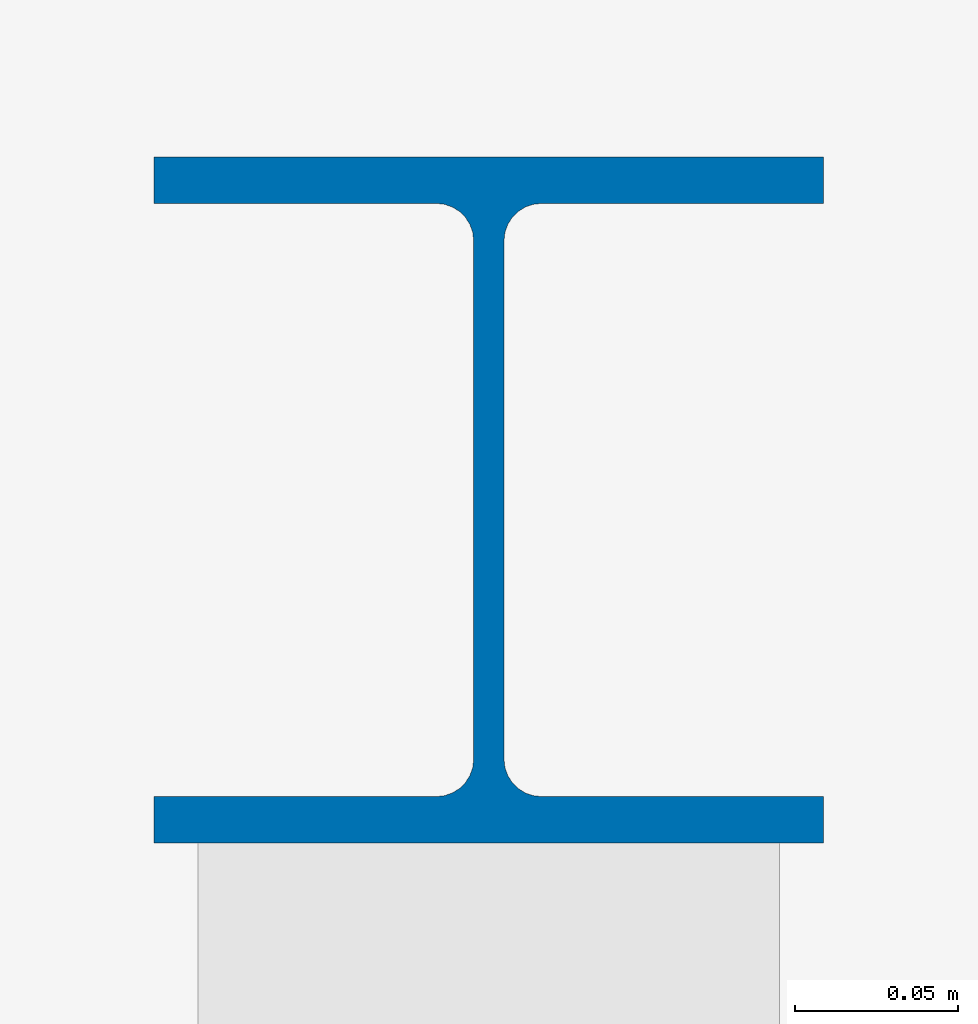
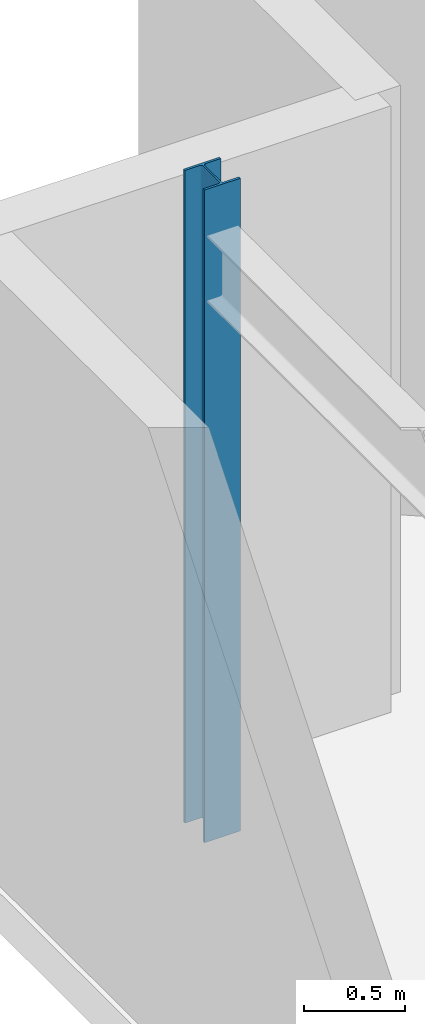
# One storey, part 4 of 15: 1 column.
"""IFC4 building model written with IfcOpenShell, lengths in metres."""

from ifc_helpers import new_model, si_unit, direction, frame, origin, origin_2d, place, context, subcontext, project, spatial, i_section, extrude, material, material_profile, profile_set, type_object, element, save


model = new_model("IFC4")

# Units and contexts
model_context = context("Model", 3, precision=1e-05, world=origin(), true_north=direction((0.0, 1.0)))
body_context = subcontext(model_context, "Body", "Model", "MODEL_VIEW")
ifc_project = project(units=[si_unit("LENGTHUNIT", "METRE"), si_unit("AREAUNIT", "SQUARE_METRE"), si_unit("VOLUMEUNIT", "CUBIC_METRE"), si_unit("PLANEANGLEUNIT", "RADIAN"), si_unit("MASSUNIT", "GRAM", prefix="KILO")], contexts=[model_context])

# Site, building, storey
site_placement = place(None, origin())
site = spatial("IfcSite", under=ifc_project, at=site_placement, CompositionType="ELEMENT")
building_placement = place(site_placement, origin())
building = spatial("IfcBuilding", under=site, at=building_placement, Name="Varnakote Quay Hospital", CompositionType="ELEMENT")
storey_placement = place(building_placement, frame((0.0, 0.0, 300.0)))
storey = spatial("IfcBuildingStorey", under=building, at=storey_placement, Name="L74", CompositionType="ELEMENT", Elevation=300.0)

# Column
ifc_material = material(Name="Structural steel AS/NZS 3679.1 Grade 350 L0 (fy 340 MPa)", Category="steel")
ifc_material_profile = material_profile(ifc_material, i_section(OverallWidth=0.205078125, OverallDepth=0.2099609375, WebThickness=0.00927734375, FlangeThickness=0.01416015625, FilletRadius=0.011474609375, at=origin_2d()), Name="200UC59.5")
ifc_profile_set = profile_set([ifc_material_profile], Name="Structural steel AS/NZS 3679.1 Grade 350 L0 (fy 340 MPa)")
column_type = type_object("IfcColumnType", Name="COL-STL-200UC59-5", PredefinedType="COLUMN", material=ifc_profile_set)
column_placement = place(storey_placement, frame((1.199951171875, 37.199951171875, 0.0), z_axis=(0.0, 0.0, 1.0), x_axis=(1.0, 0.0, 0.0)))
element("IfcColumn", 1, at=column_placement, inside=storey, type_object=column_type, Name="L74 Structural Column C-1-37", PredefinedType="COLUMN", context=body_context, shape_type="SweptSolid", body=[
    extrude(i_section(OverallWidth=0.205078125, OverallDepth=0.2099609375, WebThickness=0.00927734375, FlangeThickness=0.01416015625, FilletRadius=0.011474609375, at=origin_2d()), origin(), (0.0, 0.0, 1.0), 3.949951171875),
])

save(model, "model.ifc")
